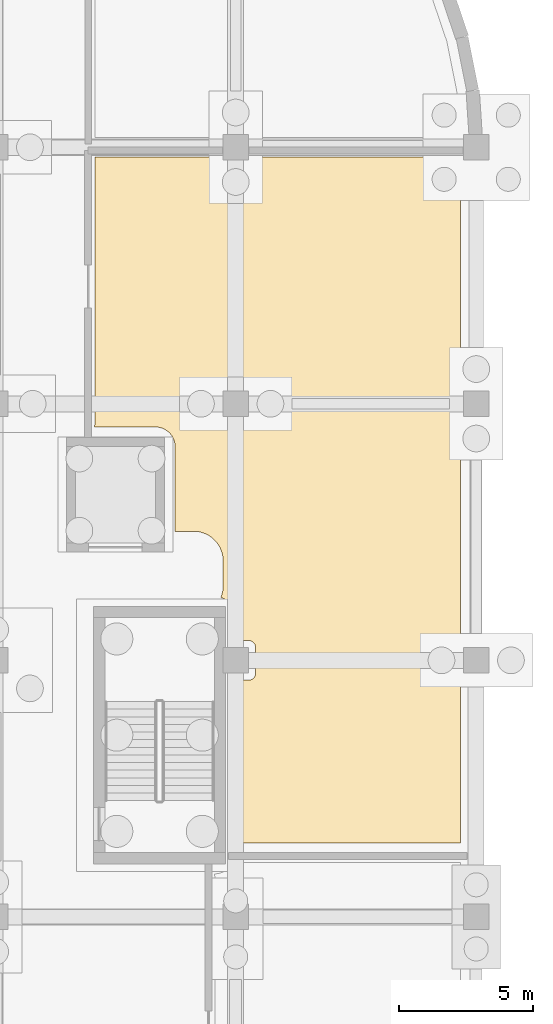
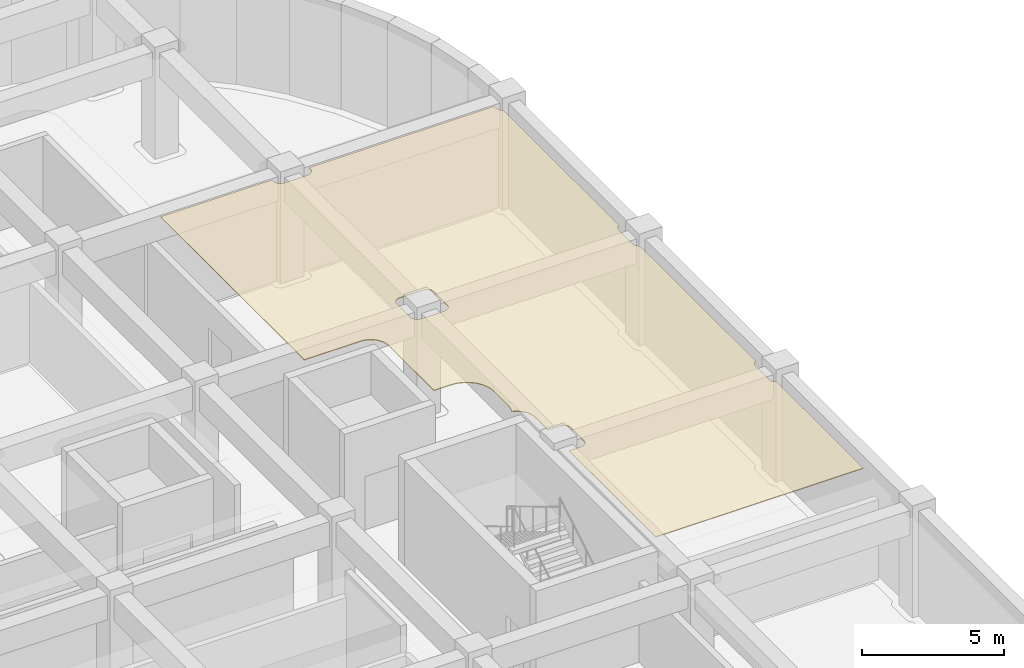
# One storey, part 44 of 47: 1 covering.
"""IFC4 building model written with IfcOpenShell, lengths in metres."""

from ifc_helpers import new_model, si_unit, direction, frame, origin, place, context, subcontext, project, spatial, polyline, outline, extrude, material, layer, layer_set, type_object, element, save


model = new_model("IFC4")

# Units and contexts
model_context = context("Model", 3, precision=1e-05, world=origin(), true_north=direction((0.0, 1.0)))
body_context = subcontext(model_context, "Body", "Model", "MODEL_VIEW")
ifc_project = project(units=[si_unit("LENGTHUNIT", "METRE"), si_unit("AREAUNIT", "SQUARE_METRE"), si_unit("VOLUMEUNIT", "CUBIC_METRE"), si_unit("PLANEANGLEUNIT", "RADIAN"), si_unit("MASSUNIT", "GRAM", prefix="KILO")], contexts=[model_context])

# Site, building, storey
site_placement = place(None, origin())
site = spatial("IfcSite", under=ifc_project, at=site_placement, CompositionType="ELEMENT")
building_placement = place(site_placement, origin())
building = spatial("IfcBuilding", under=site, at=building_placement, Name="Cendralis Terraced Arcade", CompositionType="ELEMENT")
storey_placement = place(building_placement, frame((0.0, 0.0, -4.800048828125)))
storey = spatial("IfcBuildingStorey", under=building, at=storey_placement, Name="B1", CompositionType="ELEMENT", Elevation=-4.800048828125)

# Covering
ifc_material = material(Name="Warm Andean oak timber", Category="wood")
ifc_layer = layer(ifc_material, 0.034912109375, Name="COV-CEIL-OAK-35")
ifc_layer_set = layer_set([ifc_layer], Name="Warm Andean oak timber")
covering_type = type_object("IfcCoveringType", Name="COV-CEIL-OAK-35", PredefinedType="CEILING", material=ifc_layer_set)
covering_placement = place(storey_placement, frame((0.0, 0.0, 4.465087890625)))
element("IfcCovering", 1, at=covering_placement, inside=storey, type_object=covering_type, Name="Acoustic Soffit Ceiling B1-019", PredefinedType="CEILING", context=body_context, shape_type="SweptSolid", body=[
    extrude(outline(polyline([(151.921630859375, 87.969970703125), (151.922607421875, 87.975830078125), (151.92333984375, 87.981689453125), (151.923828125, 87.98779296875), (151.925048828125, 87.99951171875), (151.925537109375, 88.005615234375), (151.926025390625, 88.01171875), (151.926513671875, 88.017578125), (151.929443359375, 88.07861328125), (151.929443359375, 88.08154296875), (151.9296875, 88.08447265625), (151.9296875, 88.087646484375), (151.929931640625, 88.093505859375), (151.929931640625, 88.096435546875), (151.929931640625, 88.099609375), (151.929931640625, 88.1025390625), (151.929931640625, 98.030029296875), (156.455078125, 98.030029296875), (156.455078125, 97.925048828125), (156.455322265625, 97.91259765625), (156.455322265625, 97.910888671875), (156.457763671875, 97.886474609375), (156.4580078125, 97.884521484375), (156.462890625, 97.8603515625), (156.46337890625, 97.8583984375), (156.470458984375, 97.8349609375), (156.47119140625, 97.8330078125), (156.48046875, 97.810546875), (156.4814453125, 97.80859375), (156.492919921875, 97.787109375), (156.493896484375, 97.785400390625), (156.507568359375, 97.764892578125), (156.5087890625, 97.763427734375), (156.5244140625, 97.744384765625), (156.525634765625, 97.742919921875), (156.54296875, 97.7255859375), (156.54443359375, 97.724365234375), (156.5634765625, 97.708740234375), (156.56494140625, 97.70751953125), (156.58544921875, 97.69384765625), (156.5869140625, 97.69287109375), (156.608642578125, 97.681396484375), (156.610595703125, 97.680419921875), (156.633056640625, 97.671142578125), (156.635009765625, 97.67041015625), (156.658447265625, 97.663330078125), (156.660400390625, 97.662841796875), (156.684326171875, 97.658203125), (156.686279296875, 97.65771484375), (156.710693359375, 97.655517578125), (156.712646484375, 97.6552734375), (156.72509765625, 97.655029296875), (157.675048828125, 97.655029296875), (157.687255859375, 97.6552734375), (157.689208984375, 97.655517578125), (157.713623046875, 97.65771484375), (157.715576171875, 97.658203125), (157.739501953125, 97.662841796875), (157.74169921875, 97.663330078125), (157.764892578125, 97.67041015625), (157.766845703125, 97.671142578125), (157.78955078125, 97.680419921875), (157.791259765625, 97.681396484375), (157.81298828125, 97.69287109375), (157.814697265625, 97.69384765625), (157.8349609375, 97.70751953125), (157.836669921875, 97.708740234375), (157.855712890625, 97.724365234375), (157.85693359375, 97.7255859375), (157.87451171875, 97.742919921875), (157.875732421875, 97.744384765625), (157.891357421875, 97.763427734375), (157.892333984375, 97.764892578125), (157.906005859375, 97.785400390625), (157.906982421875, 97.787109375), (157.918701171875, 97.80859375), (157.91943359375, 97.810546875), (157.928955078125, 97.8330078125), (157.929443359375, 97.8349609375), (157.9365234375, 97.8583984375), (157.93701171875, 97.8603515625), (157.94189453125, 97.884521484375), (157.942138671875, 97.886474609375), (157.944580078125, 97.910888671875), (157.944580078125, 97.91259765625), (157.945068359375, 97.925048828125), (157.945068359375, 98.030029296875), (165.455078125, 98.030029296875), (165.455078125, 97.925048828125), (165.455322265625, 97.91259765625), (165.455322265625, 97.910888671875), (165.457763671875, 97.886474609375), (165.4580078125, 97.884521484375), (165.462890625, 97.8603515625), (165.46337890625, 97.8583984375), (165.470458984375, 97.8349609375), (165.47119140625, 97.8330078125), (165.48046875, 97.810546875), (165.4814453125, 97.80859375), (165.492919921875, 97.787109375), (165.493896484375, 97.785400390625), (165.507568359375, 97.764892578125), (165.5087890625, 97.763427734375), (165.5244140625, 97.744384765625), (165.525634765625, 97.742919921875), (165.54296875, 97.7255859375), (165.54443359375, 97.724365234375), (165.5634765625, 97.708740234375), (165.56494140625, 97.70751953125), (165.58544921875, 97.69384765625), (165.5869140625, 97.69287109375), (165.608642578125, 97.681396484375), (165.610107421875, 97.6806640625), (165.610107421875, 89.519287109375), (165.608642578125, 89.5185546875), (165.5869140625, 89.507080078125), (165.58544921875, 89.506103515625), (165.56494140625, 89.492431640625), (165.5634765625, 89.4912109375), (165.54443359375, 89.4755859375), (165.54296875, 89.474365234375), (165.525634765625, 89.45703125), (165.5244140625, 89.45556640625), (165.5087890625, 89.4365234375), (165.507568359375, 89.43505859375), (165.493896484375, 89.41455078125), (165.492919921875, 89.4130859375), (165.4814453125, 89.391357421875), (165.48046875, 89.389404296875), (165.47119140625, 89.366943359375), (165.470458984375, 89.364990234375), (165.46337890625, 89.341552734375), (165.462890625, 89.339599609375), (165.4580078125, 89.315673828125), (165.457763671875, 89.313720703125), (165.455322265625, 89.289306640625), (165.455322265625, 89.287353515625), (165.455078125, 89.27490234375), (165.455078125, 88.324951171875), (165.455322265625, 88.312744140625), (165.455322265625, 88.310791015625), (165.457763671875, 88.286376953125), (165.4580078125, 88.284423828125), (165.462890625, 88.260498046875), (165.46337890625, 88.25830078125), (165.470458984375, 88.235107421875), (165.47119140625, 88.233154296875), (165.48046875, 88.21044921875), (165.4814453125, 88.208740234375), (165.492919921875, 88.18701171875), (165.493896484375, 88.185302734375), (165.507568359375, 88.1650390625), (165.5087890625, 88.163330078125), (165.5244140625, 88.144287109375), (165.525634765625, 88.14306640625), (165.54296875, 88.12548828125), (165.54443359375, 88.124267578125), (165.5634765625, 88.108642578125), (165.56494140625, 88.107666015625), (165.58544921875, 88.093994140625), (165.5869140625, 88.093017578125), (165.608642578125, 88.081298828125), (165.610107421875, 88.080810546875), (165.610107421875, 79.919189453125), (165.608642578125, 79.918701171875), (165.5869140625, 79.906982421875), (165.58544921875, 79.906005859375), (165.56494140625, 79.892333984375), (165.5634765625, 79.891357421875), (165.54443359375, 79.875732421875), (165.54296875, 79.87451171875), (165.525634765625, 79.85693359375), (165.5244140625, 79.855712890625), (165.5087890625, 79.836669921875), (165.507568359375, 79.8349609375), (165.493896484375, 79.814697265625), (165.492919921875, 79.81298828125), (165.4814453125, 79.791259765625), (165.48046875, 79.78955078125), (165.47119140625, 79.766845703125), (165.470458984375, 79.764892578125), (165.46337890625, 79.74169921875), (165.462890625, 79.739501953125), (165.4580078125, 79.715576171875), (165.457763671875, 79.713623046875), (165.455322265625, 79.689208984375), (165.455322265625, 79.687255859375), (165.455078125, 79.675048828125), (165.455078125, 78.72509765625), (165.455322265625, 78.712646484375), (165.455322265625, 78.710693359375), (165.457763671875, 78.686279296875), (165.4580078125, 78.684326171875), (165.462890625, 78.660400390625), (165.46337890625, 78.658447265625), (165.470458984375, 78.635009765625), (165.47119140625, 78.633056640625), (165.48046875, 78.610595703125), (165.4814453125, 78.608642578125), (165.492919921875, 78.5869140625), (165.493896484375, 78.58544921875), (165.507568359375, 78.56494140625), (165.5087890625, 78.5634765625), (165.5244140625, 78.54443359375), (165.525634765625, 78.54296875), (165.54296875, 78.525634765625), (165.54443359375, 78.5244140625), (165.5634765625, 78.5087890625), (165.56494140625, 78.507568359375), (165.58544921875, 78.493896484375), (165.5869140625, 78.492919921875), (165.608642578125, 78.4814453125), (165.610107421875, 78.480712890625), (165.610107421875, 72.3701171875), (157.18994140625, 72.3701171875), (157.18994140625, 78.455078125), (157.675048828125, 78.455078125), (157.687255859375, 78.455322265625), (157.689208984375, 78.455322265625), (157.713623046875, 78.457763671875), (157.715576171875, 78.4580078125), (157.739501953125, 78.462890625), (157.74169921875, 78.46337890625), (157.764892578125, 78.470458984375), (157.766845703125, 78.47119140625), (157.78955078125, 78.48046875), (157.791259765625, 78.4814453125), (157.81298828125, 78.492919921875), (157.814697265625, 78.493896484375), (157.8349609375, 78.507568359375), (157.836669921875, 78.5087890625), (157.855712890625, 78.5244140625), (157.85693359375, 78.525634765625), (157.87451171875, 78.54296875), (157.875732421875, 78.54443359375), (157.891357421875, 78.5634765625), (157.892333984375, 78.56494140625), (157.906005859375, 78.58544921875), (157.906982421875, 78.5869140625), (157.918701171875, 78.608642578125), (157.91943359375, 78.610595703125), (157.928955078125, 78.633056640625), (157.929443359375, 78.635009765625), (157.9365234375, 78.658447265625), (157.93701171875, 78.660400390625), (157.94189453125, 78.684326171875), (157.942138671875, 78.686279296875), (157.944580078125, 78.710693359375), (157.944580078125, 78.712646484375), (157.945068359375, 78.72509765625), (157.945068359375, 79.675048828125), (157.944580078125, 79.687255859375), (157.944580078125, 79.689208984375), (157.942138671875, 79.713623046875), (157.94189453125, 79.715576171875), (157.93701171875, 79.739501953125), (157.9365234375, 79.74169921875), (157.929443359375, 79.764892578125), (157.928955078125, 79.766845703125), (157.91943359375, 79.78955078125), (157.918701171875, 79.791259765625), (157.906982421875, 79.81298828125), (157.906005859375, 79.814697265625), (157.892333984375, 79.8349609375), (157.891357421875, 79.836669921875), (157.875732421875, 79.855712890625), (157.87451171875, 79.85693359375), (157.85693359375, 79.87451171875), (157.855712890625, 79.875732421875), (157.836669921875, 79.891357421875), (157.8349609375, 79.892333984375), (157.814697265625, 79.906005859375), (157.81298828125, 79.906982421875), (157.791259765625, 79.918701171875), (157.78955078125, 79.91943359375), (157.766845703125, 79.928955078125), (157.764892578125, 79.929443359375), (157.74169921875, 79.9365234375), (157.739501953125, 79.93701171875), (157.715576171875, 79.94189453125), (157.713623046875, 79.942138671875), (157.689208984375, 79.944580078125), (157.687255859375, 79.944580078125), (157.675048828125, 79.945068359375), (157.18994140625, 79.945068359375), (157.18994140625, 80.800048828125), (157.18994140625, 80.80615234375), (157.189697265625, 80.81201171875), (157.189697265625, 80.818115234375), (157.1875, 80.859375), (157.1865234375, 80.87158203125), (157.185546875, 80.88330078125), (157.18408203125, 80.8955078125), (157.177978515625, 80.936279296875), (157.17578125, 80.9482421875), (157.173583984375, 80.9599609375), (157.1708984375, 80.9716796875), (157.160888671875, 81.01171875), (157.15771484375, 81.023681640625), (157.154052734375, 81.034912109375), (157.150390625, 81.046630859375), (157.136474609375, 81.08544921875), (157.132080078125, 81.0966796875), (157.12744140625, 81.107666015625), (157.12255859375, 81.118896484375), (157.10498046875, 81.15625), (157.099365234375, 81.1669921875), (157.09375, 81.177490234375), (157.087890625, 81.188232421875), (157.066650390625, 81.2236328125), (157.06005859375, 81.23388671875), (157.053466796875, 81.24365234375), (157.04638671875, 81.253662109375), (157.02197265625, 81.286865234375), (157.014404296875, 81.29638671875), (157.0068359375, 81.3056640625), (156.998779296875, 81.31494140625), (156.97119140625, 81.345458984375), (156.962646484375, 81.354248046875), (156.954345703125, 81.36279296875), (156.945556640625, 81.37109375), (156.914794921875, 81.398681640625), (156.905517578125, 81.40673828125), (156.896484375, 81.414306640625), (156.886962890625, 81.421875), (156.853759765625, 81.4462890625), (156.84375, 81.45361328125), (156.833984375, 81.4599609375), (156.823486328125, 81.466552734375), (156.7880859375, 81.48779296875), (156.777587890625, 81.493896484375), (156.76708984375, 81.49951171875), (156.756103515625, 81.5048828125), (156.718994140625, 81.5224609375), (156.707763671875, 81.527587890625), (156.69677734375, 81.531982421875), (156.685302734375, 81.536376953125), (156.646484375, 81.55029296875), (156.643798828125, 81.55126953125), (156.647705078125, 81.560791015625), (156.64990234375, 81.56640625), (156.652099609375, 81.572021484375), (156.654296875, 81.57763671875), (156.6748046875, 81.635009765625), (156.6767578125, 81.640625), (156.678466796875, 81.646240234375), (156.680419921875, 81.652099609375), (156.683837890625, 81.66357421875), (156.685546875, 81.66943359375), (156.68701171875, 81.675048828125), (156.688720703125, 81.680908203125), (156.703369140625, 81.739990234375), (156.704833984375, 81.74609375), (156.7060546875, 81.751708984375), (156.70751953125, 81.7578125), (156.709716796875, 81.769287109375), (156.710693359375, 81.775390625), (156.7119140625, 81.781005859375), (156.712890625, 81.787109375), (156.7216796875, 81.847412109375), (156.722412109375, 81.853515625), (156.723388671875, 81.859375), (156.723876953125, 81.865478515625), (156.72509765625, 81.877197265625), (156.7255859375, 81.88330078125), (156.72607421875, 81.88916015625), (156.726318359375, 81.895263671875), (156.7294921875, 81.9560546875), (156.7294921875, 81.958984375), (156.7294921875, 81.9619140625), (156.729736328125, 81.965087890625), (156.72998046875, 81.970947265625), (156.72998046875, 81.97412109375), (156.72998046875, 81.976806640625), (156.72998046875, 81.97998046875), (156.72998046875, 82.919921875), (156.72998046875, 82.923095703125), (156.72998046875, 82.926025390625), (156.72998046875, 82.92919921875), (156.729736328125, 82.93505859375), (156.7294921875, 82.93798828125), (156.7294921875, 82.94091796875), (156.7294921875, 82.944091796875), (156.726318359375, 83.0048828125), (156.72607421875, 83.010986328125), (156.7255859375, 83.016845703125), (156.72509765625, 83.02294921875), (156.723876953125, 83.03466796875), (156.723388671875, 83.040771484375), (156.722412109375, 83.046630859375), (156.7216796875, 83.052734375), (156.712890625, 83.11279296875), (156.7119140625, 83.118896484375), (156.710693359375, 83.124755859375), (156.709716796875, 83.130615234375), (156.70751953125, 83.142333984375), (156.7060546875, 83.148193359375), (156.704833984375, 83.154052734375), (156.703369140625, 83.159912109375), (156.688720703125, 83.218994140625), (156.68701171875, 83.22509765625), (156.685546875, 83.230712890625), (156.683837890625, 83.236572265625), (156.680419921875, 83.247802734375), (156.678466796875, 83.253662109375), (156.6767578125, 83.25927734375), (156.6748046875, 83.26513671875), (156.654296875, 83.322265625), (156.652099609375, 83.328125), (156.64990234375, 83.33349609375), (156.647705078125, 83.33935546875), (156.64306640625, 83.35009765625), (156.640625, 83.355712890625), (156.63818359375, 83.361083984375), (156.6357421875, 83.36669921875), (156.609619140625, 83.421875), (156.607177734375, 83.42724609375), (156.6044921875, 83.4326171875), (156.6015625, 83.43798828125), (156.595947265625, 83.448486328125), (156.593017578125, 83.453857421875), (156.590087890625, 83.458984375), (156.587158203125, 83.464111328125), (156.555908203125, 83.516357421875), (156.552490234375, 83.521484375), (156.54931640625, 83.526611328125), (156.546142578125, 83.53173828125), (156.53955078125, 83.54150390625), (156.5361328125, 83.546630859375), (156.53271484375, 83.551513671875), (156.529052734375, 83.556396484375), (156.492919921875, 83.605224609375), (156.489013671875, 83.610107421875), (156.485595703125, 83.61474609375), (156.481689453125, 83.619384765625), (156.47412109375, 83.628662109375), (156.47021484375, 83.63330078125), (156.46630859375, 83.6376953125), (156.46240234375, 83.642333984375), (156.42138671875, 83.6875), (156.417236328125, 83.69189453125), (156.4130859375, 83.6962890625), (156.408935546875, 83.70068359375), (156.400634765625, 83.708984375), (156.396240234375, 83.713134765625), (156.39208984375, 83.71728515625), (156.387451171875, 83.721435546875), (156.34228515625, 83.76220703125), (156.337890625, 83.766357421875), (156.333251953125, 83.770263671875), (156.32861328125, 83.774169921875), (156.319580078125, 83.78173828125), (156.314697265625, 83.785400390625), (156.31005859375, 83.7890625), (156.30517578125, 83.792724609375), (156.25634765625, 83.8291015625), (156.25146484375, 83.832763671875), (156.24658203125, 83.836181640625), (156.241455078125, 83.839599609375), (156.231689453125, 83.84619140625), (156.2265625, 83.849365234375), (156.2216796875, 83.8525390625), (156.21630859375, 83.855712890625), (156.164306640625, 83.88720703125), (156.158935546875, 83.89013671875), (156.15380859375, 83.89306640625), (156.1484375, 83.89599609375), (156.137939453125, 83.901611328125), (156.132568359375, 83.904296875), (156.127197265625, 83.906982421875), (156.121826171875, 83.90966796875), (156.06689453125, 83.935791015625), (156.061279296875, 83.938232421875), (156.055908203125, 83.940673828125), (156.05029296875, 83.943115234375), (156.039306640625, 83.947509765625), (156.03369140625, 83.949951171875), (156.028076171875, 83.951904296875), (156.022216796875, 83.9541015625), (155.965087890625, 83.974609375), (155.959228515625, 83.976806640625), (155.95361328125, 83.978515625), (155.94775390625, 83.98046875), (155.9365234375, 83.98388671875), (155.9306640625, 83.985595703125), (155.925048828125, 83.987060546875), (155.9189453125, 83.988525390625), (155.860107421875, 84.00341796875), (155.85400390625, 84.0048828125), (155.848388671875, 84.006103515625), (155.84228515625, 84.00732421875), (155.830810546875, 84.009765625), (155.82470703125, 84.0107421875), (155.81884765625, 84.01171875), (155.81298828125, 84.0126953125), (155.752685546875, 84.021728515625), (155.74658203125, 84.0224609375), (155.74072265625, 84.023193359375), (155.734619140625, 84.02392578125), (155.722900390625, 84.025146484375), (155.716796875, 84.025634765625), (155.7109375, 84.02587890625), (155.704833984375, 84.0263671875), (155.64404296875, 84.029296875), (155.64111328125, 84.029541015625), (155.637939453125, 84.029541015625), (155.635009765625, 84.02978515625), (155.629150390625, 84.02978515625), (155.6259765625, 84.02978515625), (155.623046875, 84.030029296875), (155.6201171875, 84.030029296875), (154.929931640625, 84.030029296875), (154.929931640625, 87.199951171875), (154.929931640625, 87.2060546875), (154.9296875, 87.2119140625), (154.9296875, 87.21826171875), (154.927734375, 87.25341796875), (154.927001953125, 87.265625), (154.92578125, 87.27734375), (154.92431640625, 87.28955078125), (154.919189453125, 87.324462890625), (154.9169921875, 87.336669921875), (154.914794921875, 87.34814453125), (154.912109375, 87.360107421875), (154.9033203125, 87.394287109375), (154.900146484375, 87.40625), (154.896728515625, 87.41748046875), (154.892822265625, 87.42919921875), (154.881103515625, 87.46240234375), (154.876708984375, 87.473876953125), (154.8720703125, 87.484619140625), (154.8671875, 87.49609375), (154.85205078125, 87.52783203125), (154.846435546875, 87.538818359375), (154.8408203125, 87.54931640625), (154.8349609375, 87.559814453125), (154.816650390625, 87.590087890625), (154.81005859375, 87.6005859375), (154.8037109375, 87.6103515625), (154.79638671875, 87.620361328125), (154.775390625, 87.648681640625), (154.767822265625, 87.658447265625), (154.760498046875, 87.66748046875), (154.75244140625, 87.677001953125), (154.728759765625, 87.702880859375), (154.72021484375, 87.7119140625), (154.7119140625, 87.72021484375), (154.702880859375, 87.728759765625), (154.677001953125, 87.75244140625), (154.66748046875, 87.760498046875), (154.658447265625, 87.767822265625), (154.648681640625, 87.775390625), (154.620361328125, 87.79638671875), (154.6103515625, 87.8037109375), (154.6005859375, 87.81005859375), (154.590087890625, 87.816650390625), (154.559814453125, 87.8349609375), (154.54931640625, 87.8408203125), (154.538818359375, 87.846435546875), (154.52783203125, 87.85205078125), (154.49609375, 87.8671875), (154.484619140625, 87.8720703125), (154.473876953125, 87.876708984375), (154.46240234375, 87.881103515625), (154.42919921875, 87.892822265625), (154.41748046875, 87.896728515625), (154.40625, 87.900146484375), (154.394287109375, 87.9033203125), (154.360107421875, 87.912109375), (154.34814453125, 87.914794921875), (154.336669921875, 87.9169921875), (154.324462890625, 87.919189453125), (154.28955078125, 87.92431640625), (154.27734375, 87.92578125), (154.265625, 87.927001953125), (154.25341796875, 87.927734375), (154.21826171875, 87.9296875), (154.2119140625, 87.9296875), (154.2060546875, 87.929931640625), (154.199951171875, 87.929931640625), (151.915771484375, 87.929931640625), (151.921630859375, 87.969970703125)]), holes=[polyline([(156.608642578125, 88.081298828125), (156.610595703125, 88.08056640625), (156.633056640625, 88.071044921875), (156.635009765625, 88.070556640625), (156.658447265625, 88.0634765625), (156.660400390625, 88.06298828125), (156.684326171875, 88.05810546875), (156.686279296875, 88.057861328125), (156.710693359375, 88.055419921875), (156.712646484375, 88.055419921875), (156.72509765625, 88.054931640625), (157.675048828125, 88.054931640625), (157.687255859375, 88.055419921875), (157.689208984375, 88.055419921875), (157.713623046875, 88.057861328125), (157.715576171875, 88.05810546875), (157.739501953125, 88.06298828125), (157.74169921875, 88.0634765625), (157.764892578125, 88.070556640625), (157.766845703125, 88.071044921875), (157.78955078125, 88.08056640625), (157.791259765625, 88.081298828125), (157.81298828125, 88.093017578125), (157.814697265625, 88.093994140625), (157.8349609375, 88.107666015625), (157.836669921875, 88.108642578125), (157.855712890625, 88.124267578125), (157.85693359375, 88.12548828125), (157.87451171875, 88.14306640625), (157.875732421875, 88.144287109375), (157.891357421875, 88.163330078125), (157.892333984375, 88.1650390625), (157.906005859375, 88.185302734375), (157.906982421875, 88.18701171875), (157.918701171875, 88.208740234375), (157.91943359375, 88.21044921875), (157.928955078125, 88.233154296875), (157.929443359375, 88.235107421875), (157.9365234375, 88.25830078125), (157.93701171875, 88.260498046875), (157.94189453125, 88.284423828125), (157.942138671875, 88.286376953125), (157.944580078125, 88.310791015625), (157.944580078125, 88.312744140625), (157.945068359375, 88.324951171875), (157.945068359375, 89.27490234375), (157.944580078125, 89.287353515625), (157.944580078125, 89.289306640625), (157.942138671875, 89.313720703125), (157.94189453125, 89.315673828125), (157.93701171875, 89.339599609375), (157.9365234375, 89.341552734375), (157.929443359375, 89.364990234375), (157.928955078125, 89.366943359375), (157.91943359375, 89.389404296875), (157.918701171875, 89.391357421875), (157.906982421875, 89.4130859375), (157.906005859375, 89.41455078125), (157.892333984375, 89.43505859375), (157.891357421875, 89.4365234375), (157.875732421875, 89.45556640625), (157.87451171875, 89.45703125), (157.85693359375, 89.474365234375), (157.855712890625, 89.4755859375), (157.836669921875, 89.4912109375), (157.8349609375, 89.492431640625), (157.814697265625, 89.506103515625), (157.81298828125, 89.507080078125), (157.791259765625, 89.5185546875), (157.78955078125, 89.51953125), (157.766845703125, 89.52880859375), (157.764892578125, 89.529541015625), (157.74169921875, 89.53662109375), (157.739501953125, 89.537109375), (157.715576171875, 89.5419921875), (157.713623046875, 89.542236328125), (157.689208984375, 89.544677734375), (157.687255859375, 89.544677734375), (157.675048828125, 89.544921875), (156.72509765625, 89.544921875), (156.712646484375, 89.544677734375), (156.710693359375, 89.544677734375), (156.686279296875, 89.542236328125), (156.684326171875, 89.5419921875), (156.660400390625, 89.537109375), (156.658447265625, 89.53662109375), (156.635009765625, 89.529541015625), (156.633056640625, 89.52880859375), (156.610595703125, 89.51953125), (156.608642578125, 89.5185546875), (156.5869140625, 89.507080078125), (156.58544921875, 89.506103515625), (156.56494140625, 89.492431640625), (156.5634765625, 89.4912109375), (156.54443359375, 89.4755859375), (156.54296875, 89.474365234375), (156.525634765625, 89.45703125), (156.5244140625, 89.45556640625), (156.5087890625, 89.4365234375), (156.507568359375, 89.43505859375), (156.493896484375, 89.41455078125), (156.492919921875, 89.4130859375), (156.4814453125, 89.391357421875), (156.48046875, 89.389404296875), (156.47119140625, 89.366943359375), (156.470458984375, 89.364990234375), (156.46337890625, 89.341552734375), (156.462890625, 89.339599609375), (156.4580078125, 89.315673828125), (156.457763671875, 89.313720703125), (156.455322265625, 89.289306640625), (156.455322265625, 89.287353515625), (156.455078125, 89.27490234375), (156.455078125, 88.324951171875), (156.455322265625, 88.312744140625), (156.455322265625, 88.310791015625), (156.457763671875, 88.286376953125), (156.4580078125, 88.284423828125), (156.462890625, 88.260498046875), (156.46337890625, 88.25830078125), (156.470458984375, 88.235107421875), (156.47119140625, 88.233154296875), (156.48046875, 88.21044921875), (156.4814453125, 88.208740234375), (156.492919921875, 88.18701171875), (156.493896484375, 88.185302734375), (156.507568359375, 88.1650390625), (156.5087890625, 88.163330078125), (156.5244140625, 88.144287109375), (156.525634765625, 88.14306640625), (156.54296875, 88.12548828125), (156.54443359375, 88.124267578125), (156.5634765625, 88.108642578125), (156.56494140625, 88.107666015625), (156.58544921875, 88.093994140625), (156.5869140625, 88.093017578125), (156.608642578125, 88.081298828125)])]), origin(), (0.0, 0.0, 1.0), 0.034912109375),
])

save(model, "model.ifc")
